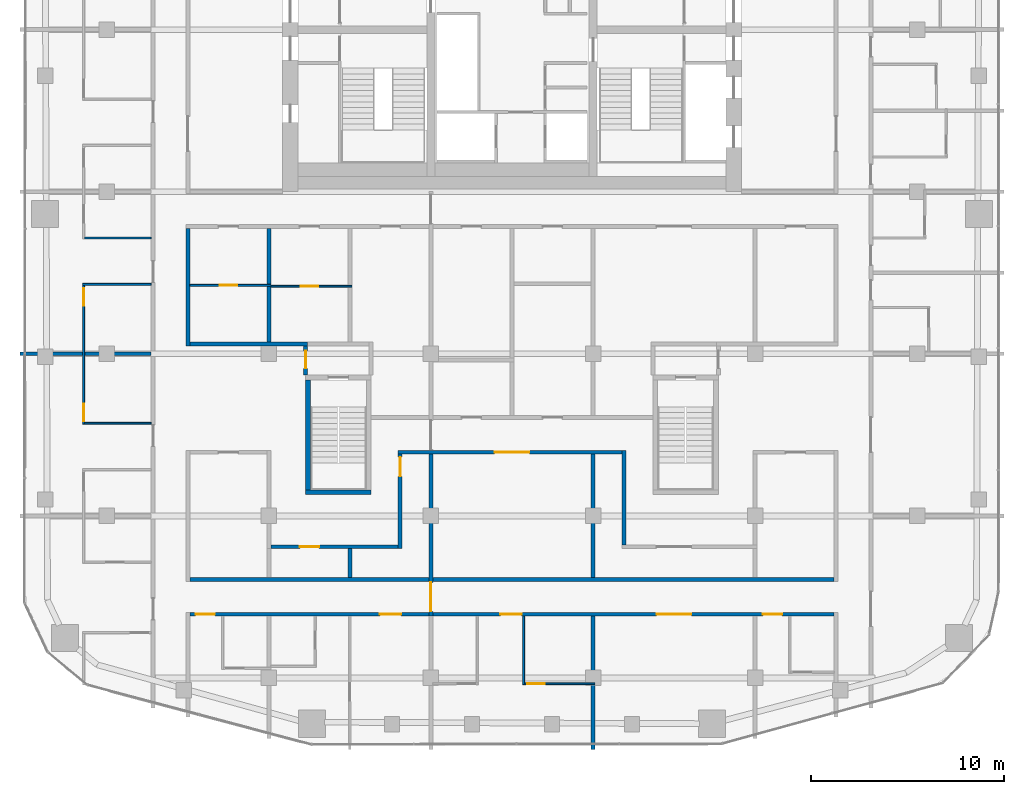
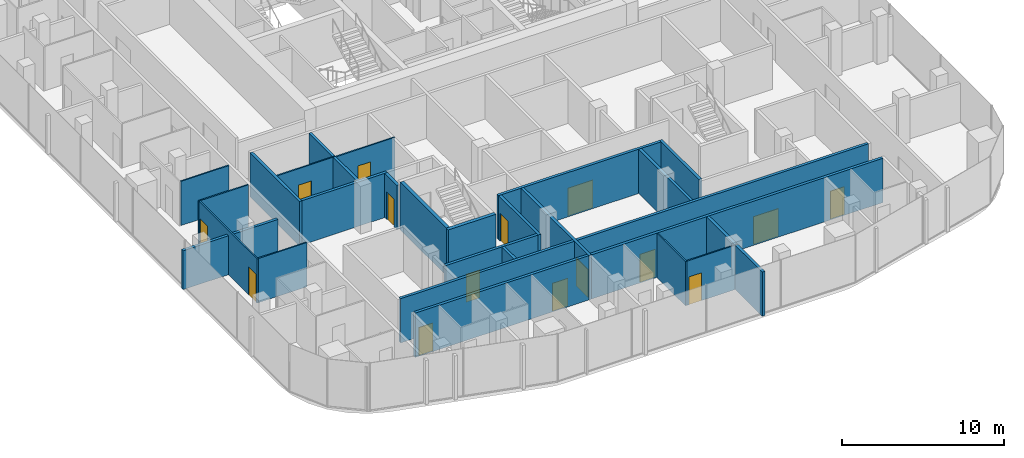
# One storey, part 14 of 21: 25 walls, 15 doors, 15 openings.
"""IFC4 building model written with IfcOpenShell, lengths in metres."""

from ifc_helpers import new_model, si_unit, direction, frame, frame_2d, origin, place, context, subcontext, project, spatial, rectangle, extrude, material, layer, layer_set, type_object, element, fill, save


model = new_model("IFC4")

# Units and contexts
model_context = context("Model", 3, precision=1e-05, world=origin(), true_north=direction((0.0, 1.0)))
body_context = subcontext(model_context, "Body", "Model", "MODEL_VIEW")
ifc_project = project(units=[si_unit("LENGTHUNIT", "METRE"), si_unit("AREAUNIT", "SQUARE_METRE"), si_unit("VOLUMEUNIT", "CUBIC_METRE"), si_unit("PLANEANGLEUNIT", "RADIAN"), si_unit("MASSUNIT", "GRAM", prefix="KILO")], contexts=[model_context])

# Site, building, storey
site_placement = place(None, origin())
site = spatial("IfcSite", under=ifc_project, at=site_placement, CompositionType="ELEMENT")
building_placement = place(site_placement, origin())
building = spatial("IfcBuilding", under=site, at=building_placement, Name="Marenta Gate Hotel Tower", CompositionType="ELEMENT")
storey_placement = place(building_placement, frame((0.0, 0.0, 245.300048828125)))
storey = spatial("IfcBuildingStorey", under=building, at=storey_placement, Name="L58", CompositionType="ELEMENT", Elevation=245.300048828125)

# Wall, opening, door
ifc_material_1 = material(Name="Concrete blockwork", Category="masonry")
ifc_layer_1 = layer(ifc_material_1, 0.199951171875)
ifc_layer_set_1 = layer_set([ifc_layer_1], Name="Concrete blockwork")
wall_type_1 = type_object("IfcWallType", Name="Compartment wall 200 REI 180", PredefinedType="PARTITIONING", material=ifc_layer_set_1)
wall_1_placement = place(storey_placement, frame((-4.199951171875, -22.0, 0.0), z_axis=(0.0, 0.0, 1.0), x_axis=(0.0, 1.0, 0.0)))
wall_1 = element("IfcWall", 1, at=wall_1_placement, inside=storey, type_object=wall_type_1, Name="L58-PTN-W070", PredefinedType="PARTITIONING", context=body_context, shape_type="SweptSolid", body=[
    extrude(rectangle(XDim=8.39990234375, YDim=0.199951171875, at=frame_2d((4.199951171875, 0.0))), origin(), (0.0, 0.0, 1.0), 3.33984375),
])
opening_1_placement = place(wall_1_placement, frame((0.25, 0.0, 0.0)))
opening_1 = element("IfcOpeningElement", 2, at=opening_1_placement, cuts=wall_1, Name="Opening G21-FD4", PredefinedType="OPENING", context=body_context, shape_type="SweptSolid", body=[
    extrude(rectangle(XDim=1.5, YDim=2.10009765625, at=frame_2d((0.75, 1.050048828125))), frame((0.0, 0.10009765625, 0.0), z_axis=(0.0, -1.0, 0.0), x_axis=(1.0, 0.0, 0.0)), (0.0, 0.0, 1.0), 0.199951171875),
])
ifc_material_2 = material(Name="Hollow steel door set", Category="steel")
door_type_1 = type_object("IfcDoorType", Name="Compartment fire door 1500x2100 EI 60", OperationType="DOUBLE_DOOR_DOUBLE_SWING", PredefinedType="DOOR", material=ifc_material_2)
door_1_placement = place(opening_1_placement, origin())
door_1 = element("IfcDoor", 3, at=door_1_placement, inside=storey, type_object=door_type_1, Name="L58-PD-FD04", OperationType="DOUBLE_DOOR_DOUBLE_SWING", OverallHeight=2.10009765625, OverallWidth=1.5, PredefinedType="DOOR", context=body_context, shape_type="SweptSolid", body=[
    extrude(rectangle(XDim=1.5, YDim=2.10009765625, at=frame_2d((0.75, 1.050048828125))), frame((0.0, 0.02490234375, 0.0), z_axis=(0.0, -1.0, 0.0), x_axis=(1.0, 0.0, 0.0)), (0.0, 0.0, 1.0), 0.050048828125),
])
fill(opening_1, door_1)

# Walls
ifc_material_3 = material(Name="Concrete C40", Category="concrete")
ifc_layer_2 = layer(ifc_material_3, 0.25)
ifc_layer_set_2 = layer_set([ifc_layer_2], Name="Concrete C40")
wall_type_2 = type_object("IfcWallType", Name="Remote stair enclosure wall 250 REI 180", PredefinedType="SHEAR", material=ifc_layer_set_2)
wall_2_placement = place(storey_placement, frame((-10.699951171875, -15.574951171875, 0.099853515625), z_axis=(0.0, 0.0, 1.0), x_axis=(1.0, 0.0, 0.0)))
element("IfcWall", 4, at=wall_2_placement, inside=storey, type_object=wall_type_2, Name="L58-RS-Z3-1-W1", PredefinedType="SHEAR", context=body_context, shape_type="SweptSolid", body=[
    extrude(rectangle(XDim=3.39990234375, YDim=0.25, at=frame_2d((1.699951171875, 0.0))), origin(), (0.0, 0.0, 1.0), 3.60009765625),
])
wall_3_placement = place(storey_placement, frame((-10.574951171875, -15.449951171875, 0.099853515625), z_axis=(0.0, 0.0, 1.0), x_axis=(0.0, 1.0, 0.0)))
element("IfcWall", 5, at=wall_3_placement, inside=storey, type_object=wall_type_2, Name="L58-RS-Z3-1-W3", PredefinedType="SHEAR", context=body_context, shape_type="SweptSolid", body=[
    extrude(rectangle(XDim=5.699951171875, YDim=0.25, at=frame_2d((2.85009765625, 0.0))), origin(), (0.0, 0.0, 1.0), 3.60009765625),
])
ifc_material_4 = material(Name="Concrete blockwork", Category="masonry")
ifc_layer_3 = layer(ifc_material_4, 0.199951171875)
ifc_layer_set_3 = layer_set([ifc_layer_3], Name="Concrete blockwork")
wall_type_3 = type_object("IfcWallType", Name="Room corridor wall 200 EI 120", PredefinedType="PARTITIONING", material=ifc_layer_set_3)
wall_4_placement = place(storey_placement, frame((-16.699951171875, -7.89990234375, 0.0), z_axis=(0.0, 0.0, 1.0), x_axis=(1.0, 0.0, 0.0)))
element("IfcWall", 6, at=wall_4_placement, inside=storey, type_object=wall_type_3, Name="L58-PTN-W043", PredefinedType="PARTITIONING", context=body_context, shape_type="SweptSolid", body=[
    extrude(rectangle(XDim=6.099853515625, YDim=0.199951171875, at=frame_2d((3.0498046875, 0.0))), origin(), (0.0, 0.0, 1.0), 3.33984375),
])

# Wall, openings, doors
ifc_material_5 = material(Name="Gypsum board on steel stud", Category="steel")
ifc_layer_4 = layer(ifc_material_5, 0.199951171875)
ifc_layer_set_4 = layer_set([ifc_layer_4], Name="Gypsum board on steel stud")
wall_type_4 = type_object("IfcWallType", Name="Room corridor wall 200 EI 60", PredefinedType="PARTITIONING", material=ifc_layer_set_4)
wall_5_placement = place(storey_placement, frame((-16.699951171875, -21.89990234375, 0.0), z_axis=(0.0, 0.0, 1.0), x_axis=(1.0, 0.0, 0.0)))
wall_5 = element("IfcWall", 7, at=wall_5_placement, inside=storey, type_object=wall_type_4, Name="L58-PTN-W011", PredefinedType="PARTITIONING", context=body_context, shape_type="SweptSolid", body=[
    extrude(rectangle(XDim=33.39990234375, YDim=0.199951171875, at=frame_2d((16.699951171875, 0.0))), origin(), (0.0, 0.0, 1.0), 3.33984375),
])
opening_2_placement = place(wall_5_placement, frame((0.300048828125, 0.0, 0.0)))
opening_2 = element("IfcOpeningElement", 8, at=opening_2_placement, cuts=wall_5, Name="Opening G21-33", PredefinedType="OPENING", context=body_context, shape_type="SweptSolid", body=[
    extrude(rectangle(XDim=1.0, YDim=2.10009765625, at=frame_2d((0.5, 1.050048828125))), frame((0.0, 0.10009765625, 0.0), z_axis=(0.0, -1.0, 0.0), x_axis=(1.0, 0.0, 0.0)), (0.0, 0.0, 1.0), 0.199951171875),
])
opening_3_placement = place(wall_5_placement, frame((9.85009765625, 0.0, 0.0)))
opening_3 = element("IfcOpeningElement", 9, at=opening_3_placement, cuts=wall_5, Name="Opening G21-35", PredefinedType="OPENING", context=body_context, shape_type="SweptSolid", body=[
    extrude(rectangle(XDim=1.10009765625, YDim=2.10009765625, at=frame_2d((0.550048828125, 1.050048828125))), frame((0.0, 0.10009765625, 0.0), z_axis=(0.0, -1.0, 0.0), x_axis=(1.0, 0.0, 0.0)), (0.0, 0.0, 1.0), 0.199951171875),
])
opening_4_placement = place(wall_5_placement, frame((16.10009765625, 0.0, 0.0)))
opening_4 = element("IfcOpeningElement", 10, at=opening_4_placement, cuts=wall_5, Name="Opening G21-38", PredefinedType="OPENING", context=body_context, shape_type="SweptSolid", body=[
    extrude(rectangle(XDim=1.10009765625, YDim=2.10009765625, at=frame_2d((0.550048828125, 1.050048828125))), frame((0.0, 0.10009765625, 0.0), z_axis=(0.0, -1.0, 0.0), x_axis=(1.0, 0.0, 0.0)), (0.0, 0.0, 1.0), 0.199951171875),
])
opening_5_placement = place(wall_5_placement, frame((24.199951171875, 0.0, 0.0)))
opening_5 = element("IfcOpeningElement", 11, at=opening_5_placement, cuts=wall_5, Name="Opening G21-41", PredefinedType="OPENING", context=body_context, shape_type="SweptSolid", body=[
    extrude(rectangle(XDim=1.800048828125, YDim=2.10009765625, at=frame_2d((0.89990234375, 1.050048828125))), frame((0.0, 0.10009765625, 0.0), z_axis=(0.0, -1.0, 0.0), x_axis=(1.0, 0.0, 0.0)), (0.0, 0.0, 1.0), 0.199951171875),
])
opening_6_placement = place(wall_5_placement, frame((29.699951171875, 0.0, 0.0)))
opening_6 = element("IfcOpeningElement", 12, at=opening_6_placement, cuts=wall_5, Name="Opening G21-42", PredefinedType="OPENING", context=body_context, shape_type="SweptSolid", body=[
    extrude(rectangle(XDim=1.0, YDim=2.10009765625, at=frame_2d((0.5, 1.050048828125))), frame((0.0, 0.10009765625, 0.0), z_axis=(0.0, -1.0, 0.0), x_axis=(1.0, 0.0, 0.0)), (0.0, 0.0, 1.0), 0.199951171875),
])
ifc_material_6 = material(Name="Timber door leaf", Category="wood")
door_type_2 = type_object("IfcDoorType", Name="Guest room door 1000x2100 EI 30", OperationType="NOTDEFINED", PredefinedType="DOOR", material=ifc_material_6)
door_2_placement = place(opening_2_placement, origin())
door_2 = element("IfcDoor", 13, at=door_2_placement, inside=storey, type_object=door_type_2, Name="L58-PD-D033", OperationType="SINGLE_SWING_RIGHT", OverallHeight=2.10009765625, OverallWidth=1.0, PredefinedType="DOOR", context=body_context, shape_type="SweptSolid", body=[
    extrude(rectangle(XDim=1.0, YDim=2.10009765625, at=frame_2d((0.5, 1.050048828125))), frame((0.0, 0.02490234375, 0.0), z_axis=(0.0, -1.0, 0.0), x_axis=(1.0, 0.0, 0.0)), (0.0, 0.0, 1.0), 0.050048828125),
])
fill(opening_2, door_2)
door_3_placement = place(opening_6_placement, origin())
door_3 = element("IfcDoor", 14, at=door_3_placement, inside=storey, type_object=door_type_2, Name="L58-PD-D042", OperationType="SINGLE_SWING_RIGHT", OverallHeight=2.10009765625, OverallWidth=1.0, PredefinedType="DOOR", context=body_context, shape_type="SweptSolid", body=[
    extrude(rectangle(XDim=1.0, YDim=2.10009765625, at=frame_2d((0.5, 1.050048828125))), frame((0.0, 0.02490234375, 0.0), z_axis=(0.0, -1.0, 0.0), x_axis=(1.0, 0.0, 0.0)), (0.0, 0.0, 1.0), 0.050048828125),
])
fill(opening_6, door_3)
ifc_material_7 = material(Name="Timber door leaf", Category="wood")
door_type_3 = type_object("IfcDoorType", Name="Guest room door 1100x2100 EI 30", OperationType="NOTDEFINED", PredefinedType="DOOR", material=ifc_material_7)
door_4_placement = place(opening_3_placement, origin())
door_4 = element("IfcDoor", 15, at=door_4_placement, inside=storey, type_object=door_type_3, Name="L58-PD-D035", OperationType="SINGLE_SWING_LEFT", OverallHeight=2.10009765625, OverallWidth=1.10009765625, PredefinedType="DOOR", context=body_context, shape_type="SweptSolid", body=[
    extrude(rectangle(XDim=1.10009765625, YDim=2.10009765625, at=frame_2d((0.550048828125, 1.050048828125))), frame((0.0, 0.02490234375, 0.0), z_axis=(0.0, -1.0, 0.0), x_axis=(1.0, 0.0, 0.0)), (0.0, 0.0, 1.0), 0.050048828125),
])
fill(opening_3, door_4)
door_5_placement = place(opening_4_placement, origin())
door_5 = element("IfcDoor", 16, at=door_5_placement, inside=storey, type_object=door_type_3, Name="L58-PD-D038", OperationType="SINGLE_SWING_LEFT", OverallHeight=2.10009765625, OverallWidth=1.10009765625, PredefinedType="DOOR", context=body_context, shape_type="SweptSolid", body=[
    extrude(rectangle(XDim=1.10009765625, YDim=2.10009765625, at=frame_2d((0.550048828125, 1.050048828125))), frame((0.0, 0.02490234375, 0.0), z_axis=(0.0, -1.0, 0.0), x_axis=(1.0, 0.0, 0.0)), (0.0, 0.0, 1.0), 0.050048828125),
])
fill(opening_4, door_5)
ifc_material_8 = material(Name="Timber door leaf", Category="wood")
door_type_4 = type_object("IfcDoorType", Name="Room amenity door 1800x2100 EI 30", OperationType="DOUBLE_DOOR_SINGLE_SWING", PredefinedType="DOOR", material=ifc_material_8)
door_6_placement = place(opening_5_placement, origin())
door_6 = element("IfcDoor", 17, at=door_6_placement, inside=storey, type_object=door_type_4, Name="L58-PD-D041", OperationType="DOUBLE_DOOR_SINGLE_SWING", OverallHeight=2.10009765625, OverallWidth=1.800048828125, PredefinedType="DOOR", context=body_context, shape_type="SweptSolid", body=[
    extrude(rectangle(XDim=1.800048828125, YDim=2.10009765625, at=frame_2d((0.89990234375, 1.050048828125))), frame((0.0, 0.02490234375, 0.0), z_axis=(0.0, -1.0, 0.0), x_axis=(1.0, 0.0, 0.0)), (0.0, 0.0, 1.0), 0.050048828125),
])
fill(opening_5, door_6)

# Wall
wall_6_placement = place(storey_placement, frame((-16.699951171875, -20.10009765625, 0.0), z_axis=(0.0, 0.0, 1.0), x_axis=(1.0, 0.0, 0.0)))
element("IfcWall", 18, at=wall_6_placement, inside=storey, type_object=wall_type_4, Name="L58-PTN-W015", PredefinedType="PARTITIONING", context=body_context, shape_type="SweptSolid", body=[
    extrude(rectangle(XDim=33.39990234375, YDim=0.199951171875, at=frame_2d((16.699951171875, 0.0))), origin(), (0.0, 0.0, 1.0), 3.33984375),
])

# Wall, opening, door
wall_7_placement = place(storey_placement, frame((-12.5, -18.39990234375, 0.0), z_axis=(0.0, 0.0, 1.0), x_axis=(1.0, 0.0, 0.0)))
wall_7 = element("IfcWall", 19, at=wall_7_placement, inside=storey, type_object=wall_type_4, Name="L58-PTN-W018", PredefinedType="PARTITIONING", context=body_context, shape_type="SweptSolid", body=[
    extrude(rectangle(XDim=6.60009765625, YDim=0.199951171875, at=frame_2d((3.300048828125, 0.0))), origin(), (0.0, 0.0, 1.0), 3.33984375),
])
opening_7_placement = place(wall_7_placement, frame((1.5, 0.0, 0.0)))
opening_7 = element("IfcOpeningElement", 20, at=opening_7_placement, cuts=wall_7, Name="Opening G21-09", PredefinedType="OPENING", context=body_context, shape_type="SweptSolid", body=[
    extrude(rectangle(XDim=1.0, YDim=2.10009765625, at=frame_2d((0.5, 1.050048828125))), frame((0.0, 0.10009765625, 0.0), z_axis=(0.0, -1.0, 0.0), x_axis=(1.0, 0.0, 0.0)), (0.0, 0.0, 1.0), 0.199951171875),
])
ifc_material_9 = material(Name="Timber door leaf", Category="wood")
door_type_5 = type_object("IfcDoorType", Name="Room amenity door 1000x2100 EI 30", OperationType="NOTDEFINED", PredefinedType="DOOR", material=ifc_material_9)
door_7_placement = place(opening_7_placement, origin())
door_7 = element("IfcDoor", 21, at=door_7_placement, inside=storey, type_object=door_type_5, Name="L58-PD-D009", OperationType="SINGLE_SWING_RIGHT", OverallHeight=2.10009765625, OverallWidth=1.0, PredefinedType="DOOR", context=body_context, shape_type="SweptSolid", body=[
    extrude(rectangle(XDim=1.0, YDim=2.10009765625, at=frame_2d((0.5, 1.050048828125))), frame((0.0, 0.02490234375, 0.0), z_axis=(0.0, -1.0, 0.0), x_axis=(1.0, 0.0, 0.0)), (0.0, 0.0, 1.0), 0.050048828125),
])
fill(opening_7, door_7)

wall_8_placement = place(storey_placement, frame((-5.89990234375, -13.5, 0.0), z_axis=(0.0, 0.0, 1.0), x_axis=(1.0, 0.0, 0.0)))
wall_8 = element("IfcWall", 22, at=wall_8_placement, inside=storey, type_object=wall_type_4, Name="L58-PTN-W029", PredefinedType="PARTITIONING", context=body_context, shape_type="SweptSolid", body=[
    extrude(rectangle(XDim=11.599853515625, YDim=0.199951171875, at=frame_2d((5.7998046875, 0.0))), origin(), (0.0, 0.0, 1.0), 3.33984375),
])
opening_8_placement = place(wall_8_placement, frame((5.0, 0.0, 0.0)))
opening_8 = element("IfcOpeningElement", 23, at=opening_8_placement, cuts=wall_8, Name="Opening G21-11", PredefinedType="OPENING", context=body_context, shape_type="SweptSolid", body=[
    extrude(rectangle(XDim=1.800048828125, YDim=2.10009765625, at=frame_2d((0.89990234375, 1.050048828125))), frame((0.0, 0.10009765625, 0.0), z_axis=(0.0, -1.0, 0.0), x_axis=(1.0, 0.0, 0.0)), (0.0, 0.0, 1.0), 0.199951171875),
])
door_8_placement = place(opening_8_placement, origin())
door_8 = element("IfcDoor", 24, at=door_8_placement, inside=storey, type_object=door_type_4, Name="L58-PD-D011", OperationType="DOUBLE_DOOR_SINGLE_SWING", OverallHeight=2.10009765625, OverallWidth=1.800048828125, PredefinedType="DOOR", context=body_context, shape_type="SweptSolid", body=[
    extrude(rectangle(XDim=1.800048828125, YDim=2.10009765625, at=frame_2d((0.89990234375, 1.050048828125))), frame((0.0, 0.02490234375, 0.0), z_axis=(0.0, -1.0, 0.0), x_axis=(1.0, 0.0, 0.0)), (0.0, 0.0, 1.0), 0.050048828125),
])
fill(opening_8, door_8)

# Wall
wall_9_placement = place(storey_placement, frame((5.800048828125, -18.300048828125, 0.0), z_axis=(0.0, 0.0, 1.0), x_axis=(0.0, 1.0, 0.0)))
element("IfcWall", 25, at=wall_9_placement, inside=storey, type_object=wall_type_4, Name="L58-PTN-W049", PredefinedType="PARTITIONING", context=body_context, shape_type="SweptSolid", body=[
    extrude(rectangle(XDim=4.900146484375, YDim=0.199951171875, at=frame_2d((2.4501953125, 0.0))), origin(), (0.0, 0.0, 1.0), 3.33984375),
])

# Wall, opening, door
wall_10_placement = place(storey_placement, frame((-5.800048828125, -18.5, 0.0), z_axis=(0.0, 0.0, 1.0), x_axis=(0.0, 1.0, 0.0)))
wall_10 = element("IfcWall", 26, at=wall_10_placement, inside=storey, type_object=wall_type_4, Name="L58-PTN-W075", PredefinedType="PARTITIONING", context=body_context, shape_type="SweptSolid", body=[
    extrude(rectangle(XDim=4.89990234375, YDim=0.199951171875, at=frame_2d((2.449951171875, 0.0))), origin(), (0.0, 0.0, 1.0), 3.33984375),
])
opening_9_placement = place(wall_10_placement, frame((3.75, 0.0, 0.0)))
opening_9 = element("IfcOpeningElement", 27, at=opening_9_placement, cuts=wall_10, Name="Opening G21-10", PredefinedType="OPENING", context=body_context, shape_type="SweptSolid", body=[
    extrude(rectangle(XDim=1.0, YDim=2.10009765625, at=frame_2d((0.5, 1.050048828125))), frame((0.0, 0.10009765625, 0.0), z_axis=(0.0, -1.0, 0.0), x_axis=(1.0, 0.0, 0.0)), (0.0, 0.0, 1.0), 0.199951171875),
])
door_9_placement = place(opening_9_placement, origin())
door_9 = element("IfcDoor", 28, at=door_9_placement, inside=storey, type_object=door_type_5, Name="L58-PD-D010", OperationType="SINGLE_SWING_RIGHT", OverallHeight=2.10009765625, OverallWidth=1.0, PredefinedType="DOOR", context=body_context, shape_type="SweptSolid", body=[
    extrude(rectangle(XDim=1.0, YDim=2.10009765625, at=frame_2d((0.5, 1.050048828125))), frame((0.0, 0.02490234375, 0.0), z_axis=(0.0, -1.0, 0.0), x_axis=(1.0, 0.0, 0.0)), (0.0, 0.0, 1.0), 0.050048828125),
])
fill(opening_9, door_9)

# Wall
wall_11_placement = place(storey_placement, frame((-16.800048828125, -8.0, 0.0), z_axis=(0.0, 0.0, 1.0), x_axis=(0.0, 1.0, 0.0)))
element("IfcWall", 29, at=wall_11_placement, inside=storey, type_object=wall_type_4, Name="L58-PTN-W097", PredefinedType="PARTITIONING", context=body_context, shape_type="SweptSolid", body=[
    extrude(rectangle(XDim=6.10009765625, YDim=0.199951171875, at=frame_2d((3.050048828125, 0.0))), origin(), (0.0, 0.0, 1.0), 3.33984375),
])

# Wall, opening, door
ifc_material_10 = material(Name="Concrete blockwork", Category="masonry")
ifc_layer_5 = layer(ifc_material_10, 0.199951171875)
ifc_layer_set_5 = layer_set([ifc_layer_5], Name="Concrete blockwork")
wall_type_5 = type_object("IfcWallType", Name="Room corridor wall 200 REI 180", PredefinedType="PARTITIONING", material=ifc_layer_set_5)
wall_12_placement = place(storey_placement, frame((-10.699951171875, -9.5, 0.0), z_axis=(0.0, 0.0, 1.0), x_axis=(0.0, 1.0, 0.0)))
wall_12 = element("IfcWall", 30, at=wall_12_placement, inside=storey, type_object=wall_type_5, Name="L58-PTN-W084", PredefinedType="PARTITIONING", context=body_context, shape_type="SweptSolid", body=[
    extrude(rectangle(XDim=1.5, YDim=0.199951171875, at=frame_2d((0.75, 0.0))), origin(), (0.0, 0.0, 1.0), 3.33984375),
])
opening_10_placement = place(wall_12_placement, frame((0.35009765625, 0.0, 0.0)))
opening_10 = element("IfcOpeningElement", 31, at=opening_10_placement, cuts=wall_12, Name="Opening G21-61", PredefinedType="OPENING", context=body_context, shape_type="SweptSolid", body=[
    extrude(rectangle(XDim=0.89990234375, YDim=2.10009765625, at=frame_2d((0.449951171875, 1.050048828125))), frame((0.0, 0.10009765625, 0.0), z_axis=(0.0, -1.0, 0.0), x_axis=(1.0, 0.0, 0.0)), (0.0, 0.0, 1.0), 0.199951171875),
])
ifc_material_11 = material(Name="Hollow steel door set", Category="steel")
door_type_6 = type_object("IfcDoorType", Name="Stair vestibule door 900x2100 EI 60", OperationType="NOTDEFINED", PredefinedType="DOOR", material=ifc_material_11)
door_10_placement = place(opening_10_placement, origin())
door_10 = element("IfcDoor", 32, at=door_10_placement, inside=storey, type_object=door_type_6, Name="L58-PD-D061", OperationType="SINGLE_SWING_LEFT", OverallHeight=2.10009765625, OverallWidth=0.89990234375, PredefinedType="DOOR", context=body_context, shape_type="SweptSolid", body=[
    extrude(rectangle(XDim=0.89990234375, YDim=2.10009765625, at=frame_2d((0.449951171875, 1.050048828125))), frame((0.0, 0.02490234375, 0.0), z_axis=(0.0, -1.0, 0.0), x_axis=(1.0, 0.0, 0.0)), (0.0, 0.0, 1.0), 0.050048828125),
])
fill(opening_10, door_10)

ifc_material_12 = material(Name="Gypsum board on steel stud", Category="steel")
ifc_layer_6 = layer(ifc_material_12, 0.10009765625)
ifc_layer_set_6 = layer_set([ifc_layer_6], Name="Gypsum board on steel stud")
wall_type_6 = type_object("IfcWallType", Name="Room partition 100", PredefinedType="PARTITIONING", material=ifc_layer_set_6)
wall_13_placement = place(storey_placement, frame((0.64990234375, -25.5, 0.0), z_axis=(0.0, 0.0, 1.0), x_axis=(1.0, 0.0, 0.0)))
wall_13 = element("IfcWall", 33, at=wall_13_placement, inside=storey, type_object=wall_type_6, Name="L58-PTN-W002", PredefinedType="PARTITIONING", context=body_context, shape_type="SweptSolid", body=[
    extrude(rectangle(XDim=3.650146484375, YDim=0.10009765625, at=frame_2d((1.8251953125, 0.0))), origin(), (0.0, 0.0, 1.0), 3.33984375),
])
opening_11_placement = place(wall_13_placement, frame((0.14990234375, 0.0, 0.0)))
opening_11 = element("IfcOpeningElement", 34, at=opening_11_placement, cuts=wall_13, Name="Opening G21-39", PredefinedType="OPENING", context=body_context, shape_type="SweptSolid", body=[
    extrude(rectangle(XDim=0.89990234375, YDim=2.10009765625, at=frame_2d((0.449951171875, 1.050048828125))), frame((0.0, 0.050048828125, 0.0), z_axis=(0.0, -1.0, 0.0), x_axis=(1.0, 0.0, 0.0)), (0.0, 0.0, 1.0), 0.10009765625),
])
ifc_material_13 = material(Name="Timber door leaf", Category="wood")
door_type_7 = type_object("IfcDoorType", Name="Guest bathroom door 900x2100", OperationType="NOTDEFINED", PredefinedType="DOOR", material=ifc_material_13)
door_11_placement = place(opening_11_placement, origin())
door_11 = element("IfcDoor", 35, at=door_11_placement, inside=storey, type_object=door_type_7, Name="L58-PD-D039", OperationType="SINGLE_SWING_LEFT", OverallHeight=2.10009765625, OverallWidth=0.89990234375, PredefinedType="DOOR", context=body_context, shape_type="SweptSolid", body=[
    extrude(rectangle(XDim=0.89990234375, YDim=2.10009765625, at=frame_2d((0.449951171875, 1.050048828125))), frame((0.0, 0.02490234375, 0.0), z_axis=(0.0, -1.0, 0.0), x_axis=(1.0, 0.0, 0.0)), (0.0, 0.0, 1.0), 0.050048828125),
])
fill(opening_11, door_11)

# Wall
wall_14_placement = place(storey_placement, frame((-22.14990234375, -12.0, 0.0), z_axis=(0.0, 0.0, 1.0), x_axis=(1.0, 0.0, 0.0)))
element("IfcWall", 36, at=wall_14_placement, inside=storey, type_object=wall_type_6, Name="L58-PTN-W036", PredefinedType="PARTITIONING", context=body_context, shape_type="SweptSolid", body=[
    extrude(rectangle(XDim=3.449951171875, YDim=0.10009765625, at=frame_2d((1.72509765625, 0.0))), origin(), (0.0, 0.0, 1.0), 3.33984375),
])

# Wall, opening, door
wall_15_placement = place(storey_placement, frame((-12.5, -4.89990234375, 0.0), z_axis=(0.0, 0.0, 1.0), x_axis=(1.0, 0.0, 0.0)))
wall_15 = element("IfcWall", 37, at=wall_15_placement, inside=storey, type_object=wall_type_6, Name="L58-PTN-W050", PredefinedType="PARTITIONING", context=body_context, shape_type="SweptSolid", body=[
    extrude(rectangle(XDim=4.199951171875, YDim=0.10009765625, at=frame_2d((2.10009765625, 0.0))), origin(), (0.0, 0.0, 1.0), 3.33984375),
])
opening_12_placement = place(wall_15_placement, frame((1.550048828125, 0.0, 0.0)))
opening_12 = element("IfcOpeningElement", 38, at=opening_12_placement, cuts=wall_15, Name="Opening G21-04", PredefinedType="OPENING", context=body_context, shape_type="SweptSolid", body=[
    extrude(rectangle(XDim=0.89990234375, YDim=2.10009765625, at=frame_2d((0.449951171875, 1.050048828125))), frame((0.0, 0.050048828125, 0.0), z_axis=(0.0, -1.0, 0.0), x_axis=(1.0, 0.0, 0.0)), (0.0, 0.0, 1.0), 0.10009765625),
])
ifc_material_14 = material(Name="Timber door leaf", Category="wood")
door_type_8 = type_object("IfcDoorType", Name="Room inner door 900x2100", OperationType="NOTDEFINED", PredefinedType="DOOR", material=ifc_material_14)
door_12_placement = place(opening_12_placement, origin())
door_12 = element("IfcDoor", 39, at=door_12_placement, inside=storey, type_object=door_type_8, Name="L58-PD-D004", OperationType="SINGLE_SWING_RIGHT", OverallHeight=2.10009765625, OverallWidth=0.89990234375, PredefinedType="DOOR", context=body_context, shape_type="SweptSolid", body=[
    extrude(rectangle(XDim=0.89990234375, YDim=2.10009765625, at=frame_2d((0.449951171875, 1.050048828125))), frame((0.0, 0.02490234375, 0.0), z_axis=(0.0, -1.0, 0.0), x_axis=(1.0, 0.0, 0.0)), (0.0, 0.0, 1.0), 0.050048828125),
])
fill(opening_12, door_12)

wall_16_placement = place(storey_placement, frame((-16.699951171875, -4.85009765625, 0.0), z_axis=(0.0, 0.0, 1.0), x_axis=(1.0, 0.0, 0.0)))
wall_16 = element("IfcWall", 40, at=wall_16_placement, inside=storey, type_object=wall_type_6, Name="L58-PTN-W051", PredefinedType="PARTITIONING", context=body_context, shape_type="SweptSolid", body=[
    extrude(rectangle(XDim=4.199951171875, YDim=0.10009765625, at=frame_2d((2.10009765625, 0.0))), origin(), (0.0, 0.0, 1.0), 3.33984375),
])
opening_13_placement = place(wall_16_placement, frame((1.550048828125, 0.0, 0.0)))
opening_13 = element("IfcOpeningElement", 41, at=opening_13_placement, cuts=wall_16, Name="Opening G21-02", PredefinedType="OPENING", context=body_context, shape_type="SweptSolid", body=[
    extrude(rectangle(XDim=0.89990234375, YDim=2.10009765625, at=frame_2d((0.449951171875, 1.050048828125))), frame((0.0, 0.050048828125, 0.0), z_axis=(0.0, -1.0, 0.0), x_axis=(1.0, 0.0, 0.0)), (0.0, 0.0, 1.0), 0.10009765625),
])
door_13_placement = place(opening_13_placement, origin())
door_13 = element("IfcDoor", 42, at=door_13_placement, inside=storey, type_object=door_type_8, Name="L58-PD-D002", OperationType="SINGLE_SWING_RIGHT", OverallHeight=2.10009765625, OverallWidth=0.89990234375, PredefinedType="DOOR", context=body_context, shape_type="SweptSolid", body=[
    extrude(rectangle(XDim=0.89990234375, YDim=2.10009765625, at=frame_2d((0.449951171875, 1.050048828125))), frame((0.0, 0.02490234375, 0.0), z_axis=(0.0, -1.0, 0.0), x_axis=(1.0, 0.0, 0.0)), (0.0, 0.0, 1.0), 0.050048828125),
])
fill(opening_13, door_13)

# Walls
wall_17_placement = place(storey_placement, frame((-22.25, -4.800048828125, 0.0), z_axis=(0.0, 0.0, 1.0), x_axis=(1.0, 0.0, 0.0)))
element("IfcWall", 43, at=wall_17_placement, inside=storey, type_object=wall_type_6, Name="L58-PTN-W052", PredefinedType="PARTITIONING", context=body_context, shape_type="SweptSolid", body=[
    extrude(rectangle(XDim=3.550048828125, YDim=0.10009765625, at=frame_2d((1.77490234375, 0.0))), origin(), (0.0, 0.0, 1.0), 3.33984375),
])
wall_18_placement = place(storey_placement, frame((-22.14990234375, -2.39990234375, 0.0), z_axis=(0.0, 0.0, 1.0), x_axis=(1.0, 0.0, 0.0)))
element("IfcWall", 44, at=wall_18_placement, inside=storey, type_object=wall_type_6, Name="L58-PTN-W059", PredefinedType="PARTITIONING", context=body_context, shape_type="SweptSolid", body=[
    extrude(rectangle(XDim=3.449951171875, YDim=0.10009765625, at=frame_2d((1.72509765625, 0.0))), origin(), (0.0, 0.0, 1.0), 3.33984375),
])
wall_19_placement = place(storey_placement, frame((0.60009765625, -25.550048828125, 0.0), z_axis=(0.0, 0.0, 1.0), x_axis=(0.0, 1.0, 0.0)))
element("IfcWall", 45, at=wall_19_placement, inside=storey, type_object=wall_type_6, Name="L58-PTN-W062", PredefinedType="PARTITIONING", context=body_context, shape_type="SweptSolid", body=[
    extrude(rectangle(XDim=3.550048828125, YDim=0.10009765625, at=frame_2d((1.77490234375, 0.0))), origin(), (0.0, 0.0, 1.0), 3.33984375),
])

# Wall, openings, doors
wall_20_placement = place(storey_placement, frame((-22.199951171875, -12.050048828125, 0.0), z_axis=(0.0, 0.0, 1.0), x_axis=(0.0, 1.0, 0.0)))
wall_20 = element("IfcWall", 46, at=wall_20_placement, inside=storey, type_object=wall_type_6, Name="L58-PTN-W108", PredefinedType="PARTITIONING", context=body_context, shape_type="SweptSolid", body=[
    extrude(rectangle(XDim=7.199951171875, YDim=0.10009765625, at=frame_2d((3.60009765625, 0.0))), origin(), (0.0, 0.0, 1.0), 3.33984375),
])
opening_14_placement = place(wall_20_placement, frame((0.14990234375, 0.0, 0.0)))
opening_14 = element("IfcOpeningElement", 47, at=opening_14_placement, cuts=wall_20, Name="Opening G21-48", PredefinedType="OPENING", context=body_context, shape_type="SweptSolid", body=[
    extrude(rectangle(XDim=0.89990234375, YDim=2.10009765625, at=frame_2d((0.449951171875, 1.050048828125))), frame((0.0, 0.050048828125, 0.0), z_axis=(0.0, -1.0, 0.0), x_axis=(1.0, 0.0, 0.0)), (0.0, 0.0, 1.0), 0.10009765625),
])
opening_15_placement = place(wall_20_placement, frame((6.14990234375, 0.0, 0.0)))
opening_15 = element("IfcOpeningElement", 48, at=opening_15_placement, cuts=wall_20, Name="Opening G21-51", PredefinedType="OPENING", context=body_context, shape_type="SweptSolid", body=[
    extrude(rectangle(XDim=0.89990234375, YDim=2.10009765625, at=frame_2d((0.449951171875, 1.050048828125))), frame((0.0, 0.050048828125, 0.0), z_axis=(0.0, -1.0, 0.0), x_axis=(1.0, 0.0, 0.0)), (0.0, 0.0, 1.0), 0.10009765625),
])
door_14_placement = place(opening_14_placement, origin())
door_14 = element("IfcDoor", 49, at=door_14_placement, inside=storey, type_object=door_type_7, Name="L58-PD-D048", OperationType="SINGLE_SWING_RIGHT", OverallHeight=2.10009765625, OverallWidth=0.89990234375, PredefinedType="DOOR", context=body_context, shape_type="SweptSolid", body=[
    extrude(rectangle(XDim=0.89990234375, YDim=2.10009765625, at=frame_2d((0.449951171875, 1.050048828125))), frame((0.0, 0.02490234375, 0.0), z_axis=(0.0, -1.0, 0.0), x_axis=(1.0, 0.0, 0.0)), (0.0, 0.0, 1.0), 0.050048828125),
])
fill(opening_14, door_14)
door_15_placement = place(opening_15_placement, origin())
door_15 = element("IfcDoor", 50, at=door_15_placement, inside=storey, type_object=door_type_7, Name="L58-PD-D051", OperationType="SINGLE_SWING_LEFT", OverallHeight=2.10009765625, OverallWidth=0.89990234375, PredefinedType="DOOR", context=body_context, shape_type="SweptSolid", body=[
    extrude(rectangle(XDim=0.89990234375, YDim=2.10009765625, at=frame_2d((0.449951171875, 1.050048828125))), frame((0.0, 0.02490234375, 0.0), z_axis=(0.0, -1.0, 0.0), x_axis=(1.0, 0.0, 0.0)), (0.0, 0.0, 1.0), 0.050048828125),
])
fill(opening_15, door_15)

# Walls
ifc_material_15 = material(Name="Concrete blockwork", Category="masonry")
ifc_layer_7 = layer(ifc_material_15, 0.199951171875)
ifc_layer_set_7 = layer_set([ifc_layer_7], Name="Concrete blockwork")
wall_type_7 = type_object("IfcWallType", Name="Room party wall 200 EI 120", PredefinedType="PARTITIONING", material=ifc_layer_set_7)
wall_21_placement = place(storey_placement, frame((-12.60009765625, -7.800048828125, 0.0), z_axis=(0.0, 0.0, 1.0), x_axis=(0.0, 1.0, 0.0)))
element("IfcWall", 51, at=wall_21_placement, inside=storey, type_object=wall_type_7, Name="L58-PTN-W089", PredefinedType="PARTITIONING", context=body_context, shape_type="SweptSolid", body=[
    extrude(rectangle(XDim=5.900146484375, YDim=0.199951171875, at=frame_2d((2.9501953125, 0.0))), origin(), (0.0, 0.0, 1.0), 3.33984375),
])
ifc_material_16 = material(Name="Gypsum board on steel stud", Category="steel")
ifc_layer_8 = layer(ifc_material_16, 0.199951171875)
ifc_layer_set_8 = layer_set([ifc_layer_8], Name="Gypsum board on steel stud")
wall_type_8 = type_object("IfcWallType", Name="Room party wall 200 EI 60", PredefinedType="PARTITIONING", material=ifc_layer_set_8)
wall_22_placement = place(storey_placement, frame((-25.5, -8.39990234375, 0.0), z_axis=(0.0, 0.0, 1.0), x_axis=(1.0, 0.0, 0.0)))
element("IfcWall", 52, at=wall_22_placement, inside=storey, type_object=wall_type_8, Name="L58-PTN-W041", PredefinedType="PARTITIONING", context=body_context, shape_type="SweptSolid", body=[
    extrude(rectangle(XDim=6.800048828125, YDim=0.199951171875, at=frame_2d((3.39990234375, 0.0))), origin(), (0.0, 0.0, 1.0), 2.93994140625),
])
wall_23_placement = place(storey_placement, frame((4.199951171875, -28.89990234375, 0.0), z_axis=(0.0, 0.0, 1.0), x_axis=(0.0, 1.0, 0.0)))
element("IfcWall", 53, at=wall_23_placement, inside=storey, type_object=wall_type_8, Name="L58-PTN-W054", PredefinedType="PARTITIONING", context=body_context, shape_type="SweptSolid", body=[
    extrude(rectangle(XDim=6.89990234375, YDim=0.199951171875, at=frame_2d((3.449951171875, 0.0))), origin(), (0.0, 0.0, 1.0), 3.33984375),
])
wall_24_placement = place(storey_placement, frame((4.199951171875, -20.0, 0.0), z_axis=(0.0, 0.0, 1.0), x_axis=(0.0, 1.0, 0.0)))
element("IfcWall", 54, at=wall_24_placement, inside=storey, type_object=wall_type_8, Name="L58-PTN-W055", PredefinedType="PARTITIONING", context=body_context, shape_type="SweptSolid", body=[
    extrude(rectangle(XDim=6.39990234375, YDim=0.199951171875, at=frame_2d((3.199951171875, 0.0))), origin(), (0.0, 0.0, 1.0), 3.33984375),
])
wall_25_placement = place(storey_placement, frame((-8.39990234375, -20.0, 0.0), z_axis=(0.0, 0.0, 1.0), x_axis=(0.0, 1.0, 0.0)))
element("IfcWall", 55, at=wall_25_placement, inside=storey, type_object=wall_type_8, Name="L58-PTN-W079", PredefinedType="PARTITIONING", context=body_context, shape_type="SweptSolid", body=[
    extrude(rectangle(XDim=1.5, YDim=0.199951171875, at=frame_2d((0.75, 0.0))), origin(), (0.0, 0.0, 1.0), 3.33984375),
])

save(model, "model.ifc")
